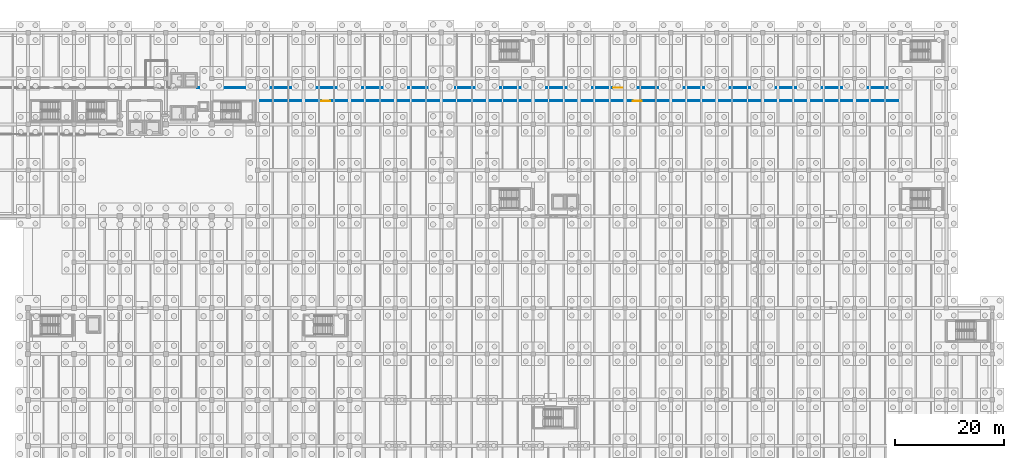
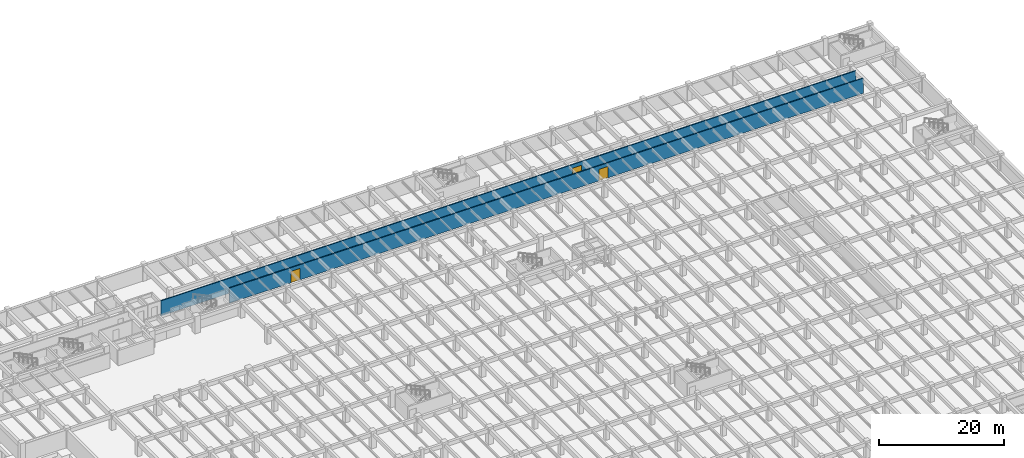
# One storey, part 49 of 70: 3 doors, 2 walls, 3 openings.
"""IFC4 building model written with IfcOpenShell, lengths in metres."""

from ifc_helpers import new_model, si_unit, direction, frame, frame_2d, origin, place, context, subcontext, project, spatial, rectangle, extrude, material, layer, layer_set, type_object, element, fill, save


model = new_model("IFC4")

# Units and contexts
model_context = context("Model", 3, precision=1e-05, world=origin(), true_north=direction((0.0, 1.0)))
body_context = subcontext(model_context, "Body", "Model", "MODEL_VIEW")
ifc_project = project(units=[si_unit("LENGTHUNIT", "METRE"), si_unit("AREAUNIT", "SQUARE_METRE"), si_unit("VOLUMEUNIT", "CUBIC_METRE"), si_unit("PLANEANGLEUNIT", "RADIAN"), si_unit("MASSUNIT", "GRAM", prefix="KILO")], contexts=[model_context])

# Site, building, storey
site_placement = place(None, origin())
site = spatial("IfcSite", under=ifc_project, at=site_placement, CompositionType="ELEMENT")
building_placement = place(site_placement, origin())
building = spatial("IfcBuilding", under=site, at=building_placement, Name="Cumbredor Promenade Congress Hotel", CompositionType="ELEMENT")
storey_placement = place(building_placement, frame((0.0, 0.0, -7.56005859375)))
storey = spatial("IfcBuildingStorey", under=building, at=storey_placement, Name="B02", CompositionType="ELEMENT", Elevation=-7.56005859375)

# Wall, openings, doors
ifc_material_1 = material(Name="Fire-rated hotel corridor wall")
ifc_layer = layer(ifc_material_1, 0.179931640625, Name="Fire-rated hotel corridor wall")
ifc_layer_set = layer_set([ifc_layer], Name="Fire-rated hotel corridor wall")
wall_type = type_object("IfcWallType", Name="WL-CORR-180", PredefinedType="PARTITIONING", material=ifc_layer_set)
wall_1_placement = place(storey_placement, frame((50.60009765625, 105.10009765625, 0.0), z_axis=(0.0, 0.0, 1.0), x_axis=(1.0, 0.0, 0.0)))
wall_1 = element("IfcWall", 1, at=wall_1_placement, inside=storey, type_object=wall_type, Name="B02 Interior Partition W-B02-N-SE", PredefinedType="PARTITIONING", context=body_context, shape_type="SweptSolid", body=[
    extrude(rectangle(XDim=117.31982421875, YDim=0.179931640625, at=frame_2d((58.659912109375, 0.0))), origin(), (0.0, 0.0, 1.0), 2.9599609375),
])
opening_1_placement = place(wall_1_placement, frame((11.39990234375, 0.0, 0.0)))
opening_1 = element("IfcOpeningElement", 2, at=opening_1_placement, cuts=wall_1, Name="Opening FD-09", PredefinedType="OPENING", context=body_context, shape_type="SweptSolid", body=[
    extrude(rectangle(XDim=1.64990234375, YDim=2.25, at=frame_2d((0.824951171875, 1.125))), frame((0.0, 0.10009765625, 0.0), z_axis=(0.0, -1.0, 0.0), x_axis=(1.0, 0.0, 0.0)), (0.0, 0.0, 1.0), 0.199951171875),
])
opening_2_placement = place(wall_1_placement, frame((68.39990234375, 0.0, 0.0)))
opening_2 = element("IfcOpeningElement", 3, at=opening_2_placement, cuts=wall_1, Name="Opening FD-09", PredefinedType="OPENING", context=body_context, shape_type="SweptSolid", body=[
    extrude(rectangle(XDim=1.64990234375, YDim=2.25, at=frame_2d((0.824951171875, 1.125))), frame((0.0, 0.10009765625, 0.0), z_axis=(0.0, -1.0, 0.0), x_axis=(1.0, 0.0, 0.0)), (0.0, 0.0, 1.0), 0.199951171875),
])
ifc_material_2 = material(Name="Painted galvanized steel fire door", Category="steel")
door_type = type_object("IfcDoorType", Name="DR-PLANT-FD60-1600", OperationType="DOUBLE_DOOR_SINGLE_SWING", PredefinedType="DOOR", material=ifc_material_2)
door_1_placement = place(opening_1_placement, origin())
door_1 = element("IfcDoor", 4, at=door_1_placement, inside=storey, type_object=door_type, Name="B02 Interior Door W-B02-N-SE-01", OperationType="DOUBLE_DOOR_SINGLE_SWING", OverallHeight=2.25, OverallWidth=1.64990234375, PredefinedType="DOOR", context=body_context, shape_type="SweptSolid", body=[
    extrude(rectangle(XDim=1.64990234375, YDim=2.25, at=frame_2d((0.824951171875, 1.125))), frame((0.0, 0.02490234375, 0.0), z_axis=(0.0, -1.0, 0.0), x_axis=(1.0, 0.0, 0.0)), (0.0, 0.0, 1.0), 0.050048828125),
])
fill(opening_1, door_1)
door_2_placement = place(opening_2_placement, origin())
door_2 = element("IfcDoor", 5, at=door_2_placement, inside=storey, type_object=door_type, Name="B02 Interior Door W-B02-N-SE-02", OperationType="DOUBLE_DOOR_SINGLE_SWING", OverallHeight=2.25, OverallWidth=1.64990234375, PredefinedType="DOOR", context=body_context, shape_type="SweptSolid", body=[
    extrude(rectangle(XDim=1.64990234375, YDim=2.25, at=frame_2d((0.824951171875, 1.125))), frame((0.0, 0.02490234375, 0.0), z_axis=(0.0, -1.0, 0.0), x_axis=(1.0, 0.0, 0.0)), (0.0, 0.0, 1.0), 0.050048828125),
])
fill(opening_2, door_2)

# Wall, opening, door
wall_2_placement = place(storey_placement, frame((39.330078125, 107.5, 0.0), z_axis=(0.0, 0.0, 1.0), x_axis=(1.0, 0.0, 0.0)))
wall_2 = element("IfcWall", 6, at=wall_2_placement, inside=storey, type_object=wall_type, Name="B02 Interior Partition W-B02-N-NE", PredefinedType="PARTITIONING", context=body_context, shape_type="SweptSolid", body=[
    extrude(rectangle(XDim=128.58984375, YDim=0.179931640625, at=frame_2d((64.294921875, 0.0))), origin(), (0.0, 0.0, 1.0), 2.9599609375),
])
opening_3_placement = place(wall_2_placement, frame((76.169921875, 0.0, 0.0)))
opening_3 = element("IfcOpeningElement", 7, at=opening_3_placement, cuts=wall_2, Name="Opening FD-09", PredefinedType="OPENING", context=body_context, shape_type="SweptSolid", body=[
    extrude(rectangle(XDim=1.64990234375, YDim=2.25, at=frame_2d((0.824951171875, 1.125))), frame((0.0, 0.10009765625, 0.0), z_axis=(0.0, -1.0, 0.0), x_axis=(1.0, 0.0, 0.0)), (0.0, 0.0, 1.0), 0.199951171875),
])
door_3_placement = place(opening_3_placement, origin())
door_3 = element("IfcDoor", 8, at=door_3_placement, inside=storey, type_object=door_type, Name="B02 Interior Door W-B02-N-NE-01", OperationType="DOUBLE_DOOR_SINGLE_SWING", OverallHeight=2.25, OverallWidth=1.64990234375, PredefinedType="DOOR", context=body_context, shape_type="SweptSolid", body=[
    extrude(rectangle(XDim=1.64990234375, YDim=2.25, at=frame_2d((0.824951171875, 1.125))), frame((0.0, 0.02490234375, 0.0), z_axis=(0.0, -1.0, 0.0), x_axis=(1.0, 0.0, 0.0)), (0.0, 0.0, 1.0), 0.050048828125),
])
fill(opening_3, door_3)

save(model, "model.ifc")
